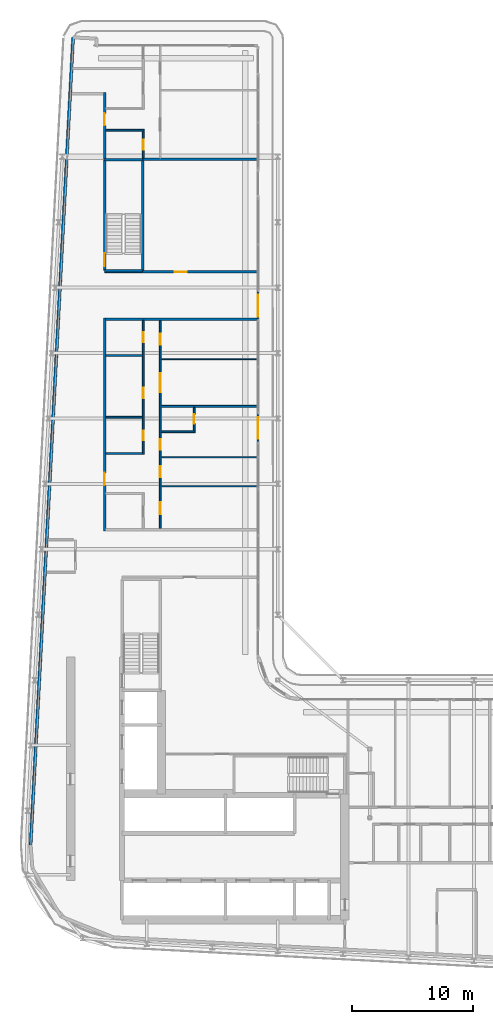
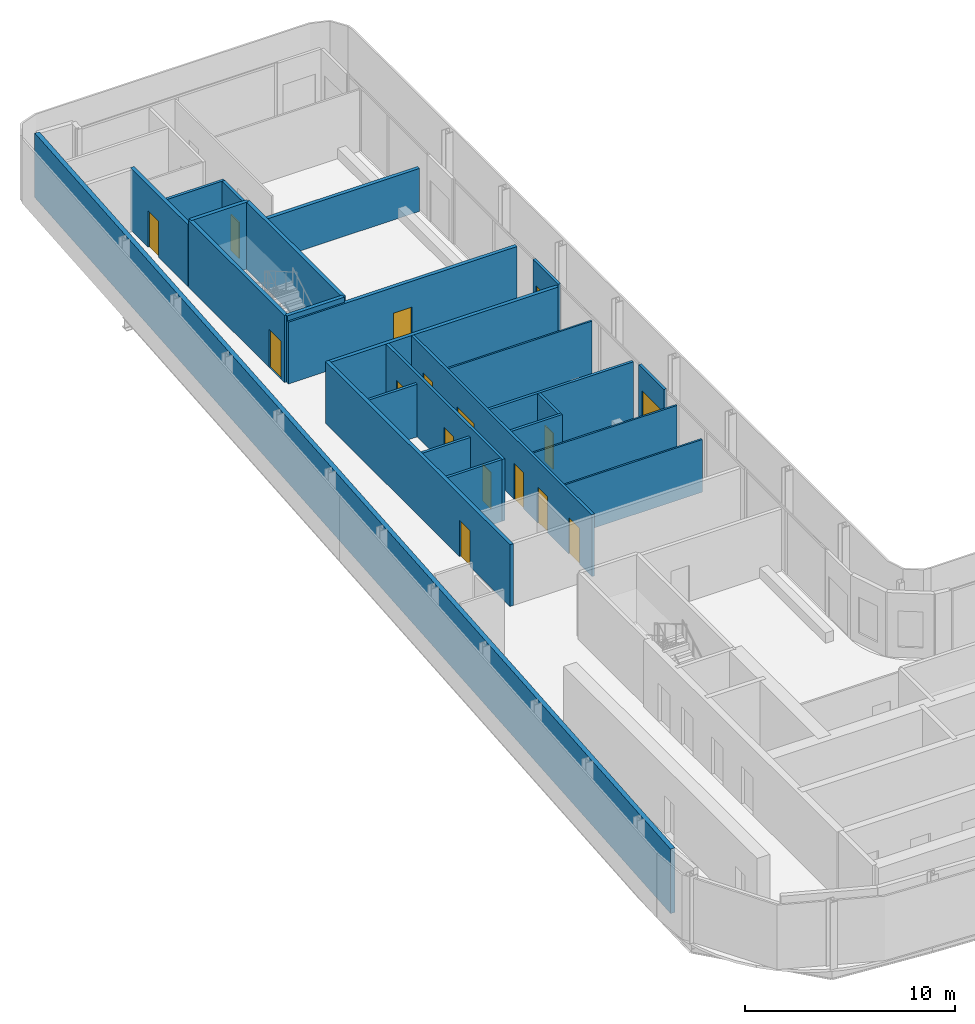
# One storey, part 14 of 23: 25 walls, 16 doors, 16 openings.
"""IFC4 building model written with IfcOpenShell, lengths in metres."""

from ifc_helpers import new_model, si_unit, direction, frame, frame_2d, origin, place, context, subcontext, project, spatial, rectangle, extrude, source, transform, mapped, material, layer, layer_set, type_object, element, fill, save


model = new_model("IFC4")

# Units and contexts
model_context = context("Model", 3, precision=1e-05, world=origin(), true_north=direction((0.0, 1.0)))
body_context = subcontext(model_context, "Body", "Model", "MODEL_VIEW")
ifc_project = project(units=[si_unit("LENGTHUNIT", "METRE"), si_unit("AREAUNIT", "SQUARE_METRE"), si_unit("VOLUMEUNIT", "CUBIC_METRE"), si_unit("PLANEANGLEUNIT", "RADIAN"), si_unit("MASSUNIT", "GRAM", prefix="KILO")], contexts=[model_context])

# Site, building, storey
site_placement = place(None, origin())
site = spatial("IfcSite", under=ifc_project, at=site_placement, CompositionType="ELEMENT")
building_placement = place(site_placement, origin())
building = spatial("IfcBuilding", under=site, at=building_placement, Name="Kheshtan School and Residences Tower", CompositionType="ELEMENT")
storey_placement = place(building_placement, frame((0.0, 0.0, 259.10009765625)))
storey = spatial("IfcBuildingStorey", under=building, at=storey_placement, Name="L61", CompositionType="ELEMENT", Elevation=259.10009765625)

# Wall, opening, door
ifc_material_1 = material(Name="Gypsum board on steel studs with fire boards", Category="steel")
ifc_layer_1 = layer(ifc_material_1, 0.199951171875)
ifc_layer_set_1 = layer_set([ifc_layer_1], Name="Corridor wall 200")
wall_type_1 = type_object("IfcWallType", Name="Corridor wall 200", PredefinedType="PARTITIONING", material=ifc_layer_set_1)
wall_1_placement = place(storey_placement, frame((33.300048828125, 57.89990234375, 0.0), z_axis=(0.0, 0.0, 1.0), x_axis=(0.0, 1.0, 0.0)))
wall_1 = element("IfcWall", 1, at=wall_1_placement, inside=storey, type_object=wall_type_1, Name="Partition L61-003", PredefinedType="PARTITIONING", context=body_context, shape_type="SweptSolid", body=[
    extrude(rectangle(XDim=17.60009765625, YDim=0.199951171875, at=frame_2d((8.800048828125, 0.0))), origin(), (0.0, 0.0, 1.0), 3.599853515625),
])
opening_1_placement = place(wall_1_placement, frame((3.800048828125, 0.0, 0.0)))
opening_1 = element("IfcOpeningElement", 2, at=opening_1_placement, cuts=wall_1, Name="Opening D61-029", PredefinedType="OPENING", context=body_context, shape_type="SweptSolid", body=[
    extrude(rectangle(XDim=1.0, YDim=2.10009765625, at=frame_2d((0.5, 1.050048828125))), frame((0.0, 0.10986328125, 0.0), z_axis=(0.0, -1.0, 0.0), x_axis=(1.0, 0.0, 0.0)), (0.0, 0.0, 1.0), 0.219970703125),
])
ifc_material_2 = material(Name="Steel-framed fire-resisting door leaf", Category="steel")
door_type_1 = type_object("IfcDoorType", Name="Fire door FD30S 1000 x 2100", OperationType="SINGLE_SWING_LEFT", PredefinedType="DOOR", material=ifc_material_2)
shared_shape_1 = source(origin(), body_context, "Body", "SweptSolid", [
    extrude(rectangle(XDim=1.0, YDim=2.10009765625, at=frame_2d((0.5, 1.050048828125))), frame((0.0, 0.02490234375, 0.0), z_axis=(0.0, -1.0, 0.0), x_axis=(1.0, 0.0, 0.0)), (0.0, 0.0, 1.0), 0.050048828125),
])
door_1_placement = place(opening_1_placement, origin())
door_1 = element("IfcDoor", 3, at=door_1_placement, inside=storey, type_object=door_type_1, Name="Door D61-029", OperationType="SINGLE_SWING_RIGHT", OverallHeight=2.10009765625, OverallWidth=1.0, PredefinedType="DOOR", context=body_context, shape_type="MappedRepresentation", body=[
    mapped(shared_shape_1, transform((0.0, 0.0, 0.0), x_axis=(1.0, 0.0, 0.0), y_axis=(0.0, 1.0, 0.0), z_axis=(0.0, 0.0, 1.0), scale=1.0)),
])
fill(opening_1, door_1)

wall_2_placement = place(storey_placement, frame((33.300048828125, 79.300048828125, 0.0), z_axis=(0.0, 0.0, 1.0), x_axis=(1.0, 0.0, 0.0)))
wall_2 = element("IfcWall", 4, at=wall_2_placement, inside=storey, type_object=wall_type_1, Name="Partition L61-004", PredefinedType="PARTITIONING", context=body_context, shape_type="SweptSolid", body=[
    extrude(rectangle(XDim=12.599853515625, YDim=0.199951171875, at=frame_2d((6.2998046875, 0.0))), origin(), (0.0, 0.0, 1.0), 3.599853515625),
])
opening_2_placement = place(wall_2_placement, frame((5.794921875, 0.0, 0.0)))
opening_2 = element("IfcOpeningElement", 5, at=opening_2_placement, cuts=wall_2, Name="Opening D61-044", PredefinedType="OPENING", context=body_context, shape_type="SweptSolid", body=[
    extrude(rectangle(XDim=1.0, YDim=2.10009765625, at=frame_2d((0.5, 1.050048828125))), frame((0.0, 0.10986328125, 0.0), z_axis=(0.0, -1.0, 0.0), x_axis=(1.0, 0.0, 0.0)), (0.0, 0.0, 1.0), 0.219970703125),
])
door_type_2 = type_object("IfcDoorType", Name="Fire door FD60 1000 x 2100", OperationType="SINGLE_SWING_LEFT", PredefinedType="DOOR", material=ifc_material_2)
shared_shape_2 = source(origin(), body_context, "Body", "SweptSolid", [
    extrude(rectangle(XDim=1.0, YDim=2.10009765625, at=frame_2d((0.5, 1.050048828125))), frame((0.0, 0.02490234375, 0.0), z_axis=(0.0, -1.0, 0.0), x_axis=(1.0, 0.0, 0.0)), (0.0, 0.0, 1.0), 0.050048828125),
])
door_2_placement = place(opening_2_placement, origin())
door_2 = element("IfcDoor", 6, at=door_2_placement, inside=storey, type_object=door_type_2, Name="Door D61-044", OperationType="SINGLE_SWING_RIGHT", OverallHeight=2.10009765625, OverallWidth=1.0, PredefinedType="DOOR", context=body_context, shape_type="MappedRepresentation", body=[
    mapped(shared_shape_2, transform((0.0, 0.0, 0.0), x_axis=(1.0, 0.0, 0.0), y_axis=(0.0, 1.0, 0.0), z_axis=(0.0, 0.0, 1.0), scale=1.0)),
])
fill(opening_2, door_2)

wall_3_placement = place(storey_placement, frame((33.300048828125, 88.60009765625, 0.0), z_axis=(0.0, 0.0, 1.0), x_axis=(0.0, 1.0, 0.0)))
wall_3 = element("IfcWall", 7, at=wall_3_placement, inside=storey, type_object=wall_type_1, Name="Partition L61-005", PredefinedType="PARTITIONING", context=body_context, shape_type="SweptSolid", body=[
    extrude(rectangle(XDim=5.5, YDim=0.199951171875, at=frame_2d((2.75, 0.0))), origin(), (0.0, 0.0, 1.0), 3.599853515625),
])
opening_3_placement = place(wall_3_placement, frame((2.800048828125, 0.0, 0.0)))
opening_3 = element("IfcOpeningElement", 8, at=opening_3_placement, cuts=wall_3, Name="Opening D61-037", PredefinedType="OPENING", context=body_context, shape_type="SweptSolid", body=[
    extrude(rectangle(XDim=1.0, YDim=2.10009765625, at=frame_2d((0.5, 1.050048828125))), frame((0.0, 0.10986328125, 0.0), z_axis=(0.0, -1.0, 0.0), x_axis=(1.0, 0.0, 0.0)), (0.0, 0.0, 1.0), 0.219970703125),
])
door_3_placement = place(opening_3_placement, origin())
door_3 = element("IfcDoor", 9, at=door_3_placement, inside=storey, type_object=door_type_1, Name="Door D61-037", OperationType="SINGLE_SWING_LEFT", OverallHeight=2.10009765625, OverallWidth=1.0, PredefinedType="DOOR", context=body_context, shape_type="MappedRepresentation", body=[
    mapped(shared_shape_1, transform((0.0, 0.0, 0.0), x_axis=(1.0, 0.0, 0.0), y_axis=(0.0, 1.0, 0.0), z_axis=(0.0, 0.0, 1.0), scale=1.0)),
])
fill(opening_3, door_3)

# Walls
wall_4_placement = place(storey_placement, frame((33.39990234375, 75.39990234375, 0.0), z_axis=(0.0, 0.0, 1.0), x_axis=(1.0, 0.0, 0.0)))
element("IfcWall", 10, at=wall_4_placement, inside=storey, type_object=wall_type_1, Name="Partition L61-011", PredefinedType="PARTITIONING", context=body_context, shape_type="SweptSolid", body=[
    extrude(rectangle(XDim=12.5, YDim=0.199951171875, at=frame_2d((6.25, 0.0))), origin(), (0.0, 0.0, 1.0), 3.599853515625),
])
ifc_material_3 = material(Name="Concrete C40/50 with ceramic cladding and mineral wool insulation", Category="concrete")
ifc_layer_2 = layer(ifc_material_3, 0.25)
ifc_layer_set_2 = layer_set([ifc_layer_2], Name="External wall 250 ceramic clad")
wall_type_2 = type_object("IfcWallType", Name="External wall 250 ceramic clad", PredefinedType="SOLIDWALL", material=ifc_layer_set_2)
wall_5_placement = place(storey_placement, frame((27.195068359375, 31.968994140625, 0.0), z_axis=(0.0, 0.0, 1.0), x_axis=(0.052554995867, 0.998618031286, 0.0)))
element("IfcWall", 11, at=wall_5_placement, inside=storey, type_object=wall_type_2, Name="External wall L61 4", PredefinedType="SOLIDWALL", context=body_context, shape_type="SweptSolid", body=[
    extrude(rectangle(XDim=66.787353515625, YDim=0.25, at=frame_2d((33.3935546875, 0.0))), origin(), (0.0, 0.0, 1.0), 3.75),
])

# Wall, opening, door
ifc_material_4 = material(Name="Aluminium frame wall with insulated infill", Category="aluminium")
ifc_layer_3 = layer(ifc_material_4, 0.14990234375)
ifc_layer_set_3 = layer_set([ifc_layer_3], Name="Glazing frame wall 150")
wall_type_3 = type_object("IfcWallType", Name="Glazing frame wall 150", PredefinedType="SOLIDWALL", material=ifc_layer_set_3)
wall_6_placement = place(storey_placement, frame((45.97509765625, 77.7119140625, 0.0), z_axis=(0.0, 0.0, 1.0), x_axis=(0.0, -1.0, 0.0)))
wall_6 = element("IfcWall", 12, at=wall_6_placement, inside=storey, type_object=wall_type_3, Name="Balcony door wall L61 8.3", PredefinedType="SOLIDWALL", context=body_context, shape_type="SweptSolid", body=[
    extrude(rectangle(XDim=2.39990234375, YDim=0.14990234375, at=frame_2d((1.199951171875, 0.0))), origin(), (0.0, 0.0, 1.0), 3.75),
])
opening_4_placement = place(wall_6_placement, frame((0.300048828125, 0.0, 0.0)))
opening_4 = element("IfcOpeningElement", 13, at=opening_4_placement, cuts=wall_6, Name="Opening BD", PredefinedType="OPENING", context=body_context, shape_type="SweptSolid", body=[
    extrude(rectangle(XDim=1.800048828125, YDim=2.39990234375, at=frame_2d((0.89990234375, 1.199951171875))), frame((0.0, 0.0849609375, 0.0), z_axis=(0.0, -1.0, 0.0), x_axis=(1.0, 0.0, 0.0)), (0.0, 0.0, 1.0), 0.169921875),
])
ifc_material_5 = material(Name="Clear low-e glass in thermally broken aluminium frame", Category="aluminium")
door_type_3 = type_object("IfcDoorType", Name="Balcony sliding door", OperationType="SLIDING_TO_LEFT", PredefinedType="DOOR", material=ifc_material_5)
shared_shape_3 = source(origin(), body_context, "Body", "SweptSolid", [
    extrude(rectangle(XDim=1.800048828125, YDim=2.39990234375, at=frame_2d((0.89990234375, 1.199951171875))), frame((0.0, 0.02490234375, 0.0), z_axis=(0.0, -1.0, 0.0), x_axis=(1.0, 0.0, 0.0)), (0.0, 0.0, 1.0), 0.050048828125),
])
door_4_placement = place(opening_4_placement, origin())
door_4 = element("IfcDoor", 14, at=door_4_placement, inside=storey, type_object=door_type_3, Name="Balcony door L61 8.3", OperationType="SLIDING_TO_LEFT", OverallHeight=2.39990234375, OverallWidth=1.800048828125, PredefinedType="DOOR", context=body_context, shape_type="MappedRepresentation", body=[
    mapped(shared_shape_3, transform((0.0, 0.0, 0.0), x_axis=(1.0, 0.0, 0.0), y_axis=(0.0, 1.0, 0.0), z_axis=(0.0, 0.0, 1.0), scale=1.0)),
])
fill(opening_4, door_4)

wall_7_placement = place(storey_placement, frame((45.97509765625, 67.617919921875, 0.0), z_axis=(0.0, 0.0, 1.0), x_axis=(0.0, -1.0, 0.0)))
wall_7 = element("IfcWall", 15, at=wall_7_placement, inside=storey, type_object=wall_type_3, Name="Balcony door wall L61 8.4", PredefinedType="SOLIDWALL", context=body_context, shape_type="SweptSolid", body=[
    extrude(rectangle(XDim=2.39990234375, YDim=0.14990234375, at=frame_2d((1.199951171875, 0.0))), origin(), (0.0, 0.0, 1.0), 3.75),
])
opening_5_placement = place(wall_7_placement, frame((0.300048828125, 0.0, 0.0)))
opening_5 = element("IfcOpeningElement", 16, at=opening_5_placement, cuts=wall_7, Name="Opening BD", PredefinedType="OPENING", context=body_context, shape_type="SweptSolid", body=[
    extrude(rectangle(XDim=1.800048828125, YDim=2.39990234375, at=frame_2d((0.89990234375, 1.199951171875))), frame((0.0, 0.0849609375, 0.0), z_axis=(0.0, -1.0, 0.0), x_axis=(1.0, 0.0, 0.0)), (0.0, 0.0, 1.0), 0.169921875),
])
door_5_placement = place(opening_5_placement, origin())
door_5 = element("IfcDoor", 17, at=door_5_placement, inside=storey, type_object=door_type_3, Name="Balcony door L61 8.4", OperationType="SLIDING_TO_LEFT", OverallHeight=2.39990234375, OverallWidth=1.800048828125, PredefinedType="DOOR", context=body_context, shape_type="MappedRepresentation", body=[
    mapped(shared_shape_3, transform((0.0, 0.0, 0.0), x_axis=(1.0, 0.0, 0.0), y_axis=(0.0, 1.0, 0.0), z_axis=(0.0, 0.0, 1.0), scale=1.0)),
])
fill(opening_5, door_5)

# Walls
ifc_material_6 = material(Name="Gypsum board on steel studs", Category="steel")
ifc_layer_4 = layer(ifc_material_6, 0.10009765625)
ifc_layer_set_4 = layer_set([ifc_layer_4], Name="Gypsum partition 100")
wall_type_4 = type_object("IfcWallType", Name="Gypsum partition 100", PredefinedType="PARTITIONING", material=ifc_layer_set_4)
wall_8_placement = place(storey_placement, frame((37.97509765625, 61.60009765625, 0.0), z_axis=(0.0, 0.0, 1.0), x_axis=(1.0, 0.0, 0.0)))
element("IfcWall", 18, at=wall_8_placement, inside=storey, type_object=wall_type_4, Name="Partition L61-023", PredefinedType="PARTITIONING", context=body_context, shape_type="SweptSolid", body=[
    extrude(rectangle(XDim=7.9248046875, YDim=0.10009765625, at=frame_2d((3.96240234375, 0.0))), origin(), (0.0, 0.0, 1.0), 3.072021484375),
])
for number, where, z_axis, x_axis, name in (
    (19, (37.97509765625, 64.0, 0.0), (0.0, 0.0, 1.0), (1.0, 0.0, 0.0), "Partition L61-024"),
    (20, (37.97509765625, 72.10009765625, 0.0), (0.0, 0.0, 1.0), (1.0, 0.0, 0.0), "Partition L61-027"),
):
    element("IfcWall", number, at=place(storey_placement, frame(where, z_axis=z_axis, x_axis=x_axis)), inside=storey, type_object=wall_type_4, Name=name, PredefinedType="PARTITIONING", context=body_context, shape_type="SweptSolid", body=[
        extrude(rectangle(XDim=7.9248046875, YDim=0.10009765625, at=frame_2d((3.96240234375, 0.0))), origin(), (0.0, 0.0, 1.0), 3.599853515625),
    ])
ifc_material_7 = material(Name="Concrete C40/50", Category="concrete")
ifc_layer_5 = layer(ifc_material_7, 0.199951171875)
ifc_layer_set_5 = layer_set([ifc_layer_5], Name="Stair enclosure wall 200 Concrete C40/50")
wall_type_5 = type_object("IfcWallType", Name="Stair enclosure wall 200 Concrete C40/50", PredefinedType="SHEAR", material=ifc_layer_set_5)
for number, where, z_axis, x_axis, name in (
    (21, (33.300048828125, 79.39990234375, 0.0), (0.0, 0.0, 1.0), (1.0, 0.0, 0.0), "Stair enclosure wall ST3"),
    (22, (33.300048828125, 88.56005859375, 0.0), (0.0, 0.0, 1.0), (1.0, 0.0, 0.0), "Stair enclosure wall ST3"),
):
    element("IfcWall", number, at=place(storey_placement, frame(where, z_axis=z_axis, x_axis=x_axis)), inside=storey, type_object=wall_type_5, Name=name, PredefinedType="SHEAR", context=body_context, shape_type="SweptSolid", body=[
        extrude(rectangle(XDim=3.14990234375, YDim=0.199951171875, at=frame_2d((1.574951171875, 0.0))), origin(), (0.0, 0.0, 1.0), 3.89990234375),
    ])

# Wall, opening, door
wall_9_placement = place(storey_placement, frame((33.300048828125, 79.39990234375, 0.0), z_axis=(0.0, 0.0, 1.0), x_axis=(0.0, 1.0, 0.0)))
wall_9 = element("IfcWall", 23, at=wall_9_placement, inside=storey, type_object=wall_type_5, Name="Stair enclosure wall ST3", PredefinedType="SHEAR", context=body_context, shape_type="SweptSolid", body=[
    extrude(rectangle(XDim=9.16015625, YDim=0.199951171875, at=frame_2d((4.580078125, 0.0))), origin(), (0.0, 0.0, 1.0), 3.89990234375),
])
opening_6_placement = place(wall_9_placement, frame((0.35009765625, 0.0, 0.0)))
opening_6 = element("IfcOpeningElement", 24, at=opening_6_placement, cuts=wall_9, Name="Opening ST3D", PredefinedType="OPENING", context=body_context, shape_type="SweptSolid", body=[
    extrude(rectangle(XDim=1.10009765625, YDim=2.199951171875, at=frame_2d((0.550048828125, 1.10009765625))), frame((0.0, 0.10986328125, 0.0), z_axis=(0.0, -1.0, 0.0), x_axis=(1.0, 0.0, 0.0)), (0.0, 0.0, 1.0), 0.219970703125),
])
ifc_material_8 = material(Name="Steel door leaf, galvanised", Category="steel")
door_type_4 = type_object("IfcDoorType", Name="Stair door 1100 steel 90 min", OperationType="SINGLE_SWING_LEFT", PredefinedType="DOOR", material=ifc_material_8)
shared_shape_4 = source(origin(), body_context, "Body", "SweptSolid", [
    extrude(rectangle(XDim=1.10009765625, YDim=2.199951171875, at=frame_2d((0.550048828125, 1.10009765625))), frame((0.0, 0.02490234375, 0.0), z_axis=(0.0, -1.0, 0.0), x_axis=(1.0, 0.0, 0.0)), (0.0, 0.0, 1.0), 0.050048828125),
])
door_6_placement = place(opening_6_placement, origin())
door_6 = element("IfcDoor", 25, at=door_6_placement, inside=storey, type_object=door_type_4, Name="Stair ST3 door", OperationType="SINGLE_SWING_RIGHT", OverallHeight=2.199951171875, OverallWidth=1.10009765625, PredefinedType="DOOR", context=body_context, shape_type="MappedRepresentation", body=[
    mapped(shared_shape_4, transform((0.0, 0.0, 0.0), x_axis=(1.0, 0.0, 0.0), y_axis=(0.0, 1.0, 0.0), z_axis=(0.0, 0.0, 1.0), scale=1.0)),
])
fill(opening_6, door_6)

# Walls
wall_10_placement = place(storey_placement, frame((36.449951171875, 79.39990234375, 0.0), z_axis=(0.0, 0.0, 1.0), x_axis=(0.0, 1.0, 0.0)))
element("IfcWall", 26, at=wall_10_placement, inside=storey, type_object=wall_type_5, Name="Stair enclosure wall ST3", PredefinedType="SHEAR", context=body_context, shape_type="SweptSolid", body=[
    extrude(rectangle(XDim=9.16015625, YDim=0.199951171875, at=frame_2d((4.580078125, 0.0))), origin(), (0.0, 0.0, 1.0), 3.89990234375),
])
ifc_material_9 = material(Name="Twin gypsum board on steel studs with mineral wool", Category="steel")
ifc_layer_6 = layer(ifc_material_9, 0.199951171875)
ifc_layer_set_6 = layer_set([ifc_layer_6], Name="Unit demising wall 200")
wall_type_6 = type_object("IfcWallType", Name="Unit demising wall 200", PredefinedType="PARTITIONING", material=ifc_layer_set_6)
wall_11_placement = place(storey_placement, frame((36.425048828125, 88.60009765625, 0.0), z_axis=(0.0, 0.0, 1.0), x_axis=(1.0, 0.0, 0.0)))
element("IfcWall", 27, at=wall_11_placement, inside=storey, type_object=wall_type_6, Name="Partition L61-015", PredefinedType="PARTITIONING", context=body_context, shape_type="SweptSolid", body=[
    extrude(rectangle(XDim=9.474853515625, YDim=0.199951171875, at=frame_2d((4.7373046875, 0.0))), origin(), (0.0, 0.0, 1.0), 2.5),
])
ifc_material_10 = material(Name="Moisture-resistant gypsum board on steel studs", Category="steel")
ifc_layer_7 = layer(ifc_material_10, 0.14990234375)
ifc_layer_set_7 = layer_set([ifc_layer_7], Name="Wet-room partition 150")
wall_type_7 = type_object("IfcWallType", Name="Wet-room partition 150", PredefinedType="PARTITIONING", material=ifc_layer_set_7)
wall_12_placement = place(storey_placement, frame((33.39990234375, 64.300048828125, 0.0), z_axis=(0.0, 0.0, 1.0), x_axis=(1.0, 0.0, 0.0)))
element("IfcWall", 28, at=wall_12_placement, inside=storey, type_object=wall_type_7, Name="Partition L61-008", PredefinedType="PARTITIONING", context=body_context, shape_type="SweptSolid", body=[
    extrude(rectangle(XDim=3.025146484375, YDim=0.14990234375, at=frame_2d((1.5126953125, 0.0))), origin(), (0.0, 0.0, 1.0), 3.599853515625),
])
for number, where, z_axis, x_axis, name in (
    (29, (33.39990234375, 67.300048828125, 0.0), (0.0, 0.0, 1.0), (1.0, 0.0, 0.0), "Partition L61-009"),
    (30, (33.39990234375, 72.39990234375, 0.0), (0.0, 0.0, 1.0), (1.0, 0.0, 0.0), "Partition L61-010"),
):
    element("IfcWall", number, at=place(storey_placement, frame(where, z_axis=z_axis, x_axis=x_axis)), inside=storey, type_object=wall_type_7, Name=name, PredefinedType="PARTITIONING", context=body_context, shape_type="SweptSolid", body=[
        extrude(rectangle(XDim=3.025146484375, YDim=0.14990234375, at=frame_2d((1.5126953125, 0.0))), origin(), (0.0, 0.0, 1.0), 3.072021484375),
    ])
wall_13_placement = place(storey_placement, frame((33.39990234375, 91.0, 0.0), z_axis=(0.0, 0.0, 1.0), x_axis=(1.0, 0.0, 0.0)))
element("IfcWall", 31, at=wall_13_placement, inside=storey, type_object=wall_type_7, Name="Partition L61-012", PredefinedType="PARTITIONING", context=body_context, shape_type="SweptSolid", body=[
    extrude(rectangle(XDim=3.175048828125, YDim=0.14990234375, at=frame_2d((1.58740234375, 0.0))), origin(), (0.0, 0.0, 1.0), 3.599853515625),
])

# Wall, openings, doors
wall_14_placement = place(storey_placement, frame((36.5, 64.22509765625, 0.0), z_axis=(0.0, 0.0, 1.0), x_axis=(0.0, 1.0, 0.0)))
wall_14 = element("IfcWall", 32, at=wall_14_placement, inside=storey, type_object=wall_type_7, Name="Partition L61-017", PredefinedType="PARTITIONING", context=body_context, shape_type="SweptSolid", body=[
    extrude(rectangle(XDim=11.074951171875, YDim=0.14990234375, at=frame_2d((5.53759765625, 0.0))), origin(), (0.0, 0.0, 1.0), 3.599853515625),
])
opening_7_placement = place(wall_14_placement, frame((1.175048828125, 0.0, 0.0)))
opening_7 = element("IfcOpeningElement", 33, at=opening_7_placement, cuts=wall_14, Name="Opening D61-024", PredefinedType="OPENING", context=body_context, shape_type="SweptSolid", body=[
    extrude(rectangle(XDim=0.800048828125, YDim=2.10009765625, at=frame_2d((0.39990234375, 1.050048828125))), frame((0.0, 0.0849609375, 0.0), z_axis=(0.0, -1.0, 0.0), x_axis=(1.0, 0.0, 0.0)), (0.0, 0.0, 1.0), 0.169921875),
])
opening_8_placement = place(wall_14_placement, frame((9.27490234375, 0.0, 0.0)))
opening_8 = element("IfcOpeningElement", 34, at=opening_8_placement, cuts=wall_14, Name="Opening D61-025", PredefinedType="OPENING", context=body_context, shape_type="SweptSolid", body=[
    extrude(rectangle(XDim=0.800048828125, YDim=2.10009765625, at=frame_2d((0.39990234375, 1.050048828125))), frame((0.0, 0.0849609375, 0.0), z_axis=(0.0, -1.0, 0.0), x_axis=(1.0, 0.0, 0.0)), (0.0, 0.0, 1.0), 0.169921875),
])
opening_9_placement = place(wall_14_placement, frame((4.625, 0.0, 0.0)))
opening_9 = element("IfcOpeningElement", 35, at=opening_9_placement, cuts=wall_14, Name="Opening D61-030", PredefinedType="OPENING", context=body_context, shape_type="SweptSolid", body=[
    extrude(rectangle(XDim=0.89990234375, YDim=2.10009765625, at=frame_2d((0.449951171875, 1.050048828125))), frame((0.0, 0.0849609375, 0.0), z_axis=(0.0, -1.0, 0.0), x_axis=(1.0, 0.0, 0.0)), (0.0, 0.0, 1.0), 0.169921875),
])
ifc_material_11 = material(Name="Veneered timber door leaf", Category="wood")
door_type_5 = type_object("IfcDoorType", Name="Door 800 x 2100", OperationType="SINGLE_SWING_LEFT", PredefinedType="DOOR", material=ifc_material_11)
shared_shape_5 = source(origin(), body_context, "Body", "SweptSolid", [
    extrude(rectangle(XDim=0.800048828125, YDim=2.10009765625, at=frame_2d((0.39990234375, 1.050048828125))), frame((0.0, 0.02490234375, 0.0), z_axis=(0.0, -1.0, 0.0), x_axis=(1.0, 0.0, 0.0)), (0.0, 0.0, 1.0), 0.050048828125),
])
door_7_placement = place(opening_7_placement, origin())
door_7 = element("IfcDoor", 36, at=door_7_placement, inside=storey, type_object=door_type_5, Name="Door D61-024", OperationType="SINGLE_SWING_RIGHT", OverallHeight=2.10009765625, OverallWidth=0.800048828125, PredefinedType="DOOR", context=body_context, shape_type="MappedRepresentation", body=[
    mapped(shared_shape_5, transform((0.0, 0.0, 0.0), x_axis=(1.0, 0.0, 0.0), y_axis=(0.0, 1.0, 0.0), z_axis=(0.0, 0.0, 1.0), scale=1.0)),
])
fill(opening_7, door_7)
door_8_placement = place(opening_8_placement, origin())
door_8 = element("IfcDoor", 37, at=door_8_placement, inside=storey, type_object=door_type_5, Name="Door D61-025", OperationType="SINGLE_SWING_LEFT", OverallHeight=2.10009765625, OverallWidth=0.800048828125, PredefinedType="DOOR", context=body_context, shape_type="MappedRepresentation", body=[
    mapped(shared_shape_5, transform((0.0, 0.0, 0.0), x_axis=(1.0, 0.0, 0.0), y_axis=(0.0, 1.0, 0.0), z_axis=(0.0, 0.0, 1.0), scale=1.0)),
])
fill(opening_8, door_8)
door_type_6 = type_object("IfcDoorType", Name="Door 900 x 2100", OperationType="SINGLE_SWING_LEFT", PredefinedType="DOOR", material=ifc_material_11)
shared_shape_6 = source(origin(), body_context, "Body", "SweptSolid", [
    extrude(rectangle(XDim=0.89990234375, YDim=2.10009765625, at=frame_2d((0.449951171875, 1.050048828125))), frame((0.0, 0.02490234375, 0.0), z_axis=(0.0, -1.0, 0.0), x_axis=(1.0, 0.0, 0.0)), (0.0, 0.0, 1.0), 0.050048828125),
])
door_9_placement = place(opening_9_placement, origin())
door_9 = element("IfcDoor", 38, at=door_9_placement, inside=storey, type_object=door_type_6, Name="Door D61-030", OperationType="SINGLE_SWING_RIGHT", OverallHeight=2.10009765625, OverallWidth=0.89990234375, PredefinedType="DOOR", context=body_context, shape_type="MappedRepresentation", body=[
    mapped(shared_shape_6, transform((0.0, 0.0, 0.0), x_axis=(1.0, 0.0, 0.0), y_axis=(0.0, 1.0, 0.0), z_axis=(0.0, 0.0, 1.0), scale=1.0)),
])
fill(opening_9, door_9)

# Wall, opening, door
wall_15_placement = place(storey_placement, frame((36.5, 88.699951171875, 0.0), z_axis=(0.0, 0.0, 1.0), x_axis=(0.0, 1.0, 0.0)))
wall_15 = element("IfcWall", 39, at=wall_15_placement, inside=storey, type_object=wall_type_7, Name="Partition L61-018", PredefinedType="PARTITIONING", context=body_context, shape_type="SweptSolid", body=[
    extrude(rectangle(XDim=2.22509765625, YDim=0.14990234375, at=frame_2d((1.112548828125, 0.0))), origin(), (0.0, 0.0, 1.0), 3.599853515625),
])
opening_10_placement = place(wall_15_placement, frame((0.699951171875, 0.0, 0.0)))
opening_10 = element("IfcOpeningElement", 40, at=opening_10_placement, cuts=wall_15, Name="Opening D61-035", PredefinedType="OPENING", context=body_context, shape_type="SweptSolid", body=[
    extrude(rectangle(XDim=0.800048828125, YDim=2.10009765625, at=frame_2d((0.39990234375, 1.050048828125))), frame((0.0, 0.0849609375, 0.0), z_axis=(0.0, -1.0, 0.0), x_axis=(1.0, 0.0, 0.0)), (0.0, 0.0, 1.0), 0.169921875),
])
door_10_placement = place(opening_10_placement, origin())
door_10 = element("IfcDoor", 41, at=door_10_placement, inside=storey, type_object=door_type_5, Name="Door D61-035", OperationType="SINGLE_SWING_LEFT", OverallHeight=2.10009765625, OverallWidth=0.800048828125, PredefinedType="DOOR", context=body_context, shape_type="MappedRepresentation", body=[
    mapped(shared_shape_5, transform((0.0, 0.0, 0.0), x_axis=(1.0, 0.0, 0.0), y_axis=(0.0, 1.0, 0.0), z_axis=(0.0, 0.0, 1.0), scale=1.0)),
])
fill(opening_10, door_10)

# Wall, openings, doors
wall_16_placement = place(storey_placement, frame((37.89990234375, 58.10009765625, 0.0), z_axis=(0.0, 0.0, 1.0), x_axis=(0.0, 1.0, 0.0)))
wall_16 = element("IfcWall", 42, at=wall_16_placement, inside=storey, type_object=wall_type_7, Name="Partition L61-020", PredefinedType="PARTITIONING", context=body_context, shape_type="SweptSolid", body=[
    extrude(rectangle(XDim=17.199951171875, YDim=0.14990234375, at=frame_2d((8.60009765625, 0.0))), origin(), (0.0, 0.0, 1.0), 3.599853515625),
])
opening_11_placement = place(wall_16_placement, frame((4.25, 0.0, 0.0)))
opening_11 = element("IfcOpeningElement", 43, at=opening_11_placement, cuts=wall_16, Name="Opening D61-026", PredefinedType="OPENING", context=body_context, shape_type="SweptSolid", body=[
    extrude(rectangle(XDim=0.89990234375, YDim=2.10009765625, at=frame_2d((0.449951171875, 1.050048828125))), frame((0.0, 0.0849609375, 0.0), z_axis=(0.0, -1.0, 0.0), x_axis=(1.0, 0.0, 0.0)), (0.0, 0.0, 1.0), 0.169921875),
])
opening_12_placement = place(wall_16_placement, frame((15.199951171875, 0.0, 0.0)))
opening_12 = element("IfcOpeningElement", 44, at=opening_12_placement, cuts=wall_16, Name="Opening D61-027", PredefinedType="OPENING", context=body_context, shape_type="SweptSolid", body=[
    extrude(rectangle(XDim=0.89990234375, YDim=2.10009765625, at=frame_2d((0.449951171875, 1.050048828125))), frame((0.0, 0.0849609375, 0.0), z_axis=(0.0, -1.0, 0.0), x_axis=(1.0, 0.0, 0.0)), (0.0, 0.0, 1.0), 0.169921875),
])
opening_13_placement = place(wall_16_placement, frame((1.199951171875, 0.0, 0.0)))
opening_13 = element("IfcOpeningElement", 45, at=opening_13_placement, cuts=wall_16, Name="Opening D61-031", PredefinedType="OPENING", context=body_context, shape_type="SweptSolid", body=[
    extrude(rectangle(XDim=1.0, YDim=2.10009765625, at=frame_2d((0.5, 1.050048828125))), frame((0.0, 0.0849609375, 0.0), z_axis=(0.0, -1.0, 0.0), x_axis=(1.0, 0.0, 0.0)), (0.0, 0.0, 1.0), 0.169921875),
])
opening_14_placement = place(wall_16_placement, frame((11.25, 0.0, 0.0)))
opening_14 = element("IfcOpeningElement", 46, at=opening_14_placement, cuts=wall_16, Name="Opening D61-032", PredefinedType="OPENING", context=body_context, shape_type="SweptSolid", body=[
    extrude(rectangle(XDim=1.60009765625, YDim=2.10009765625, at=frame_2d((0.800048828125, 1.050048828125))), frame((0.0, 0.0849609375, 0.0), z_axis=(0.0, -1.0, 0.0), x_axis=(1.0, 0.0, 0.0)), (0.0, 0.0, 1.0), 0.169921875),
])
opening_15_placement = place(wall_16_placement, frame((6.5, 0.0, 0.0)))
opening_15 = element("IfcOpeningElement", 47, at=opening_15_placement, cuts=wall_16, Name="Opening D61-033", PredefinedType="OPENING", context=body_context, shape_type="SweptSolid", body=[
    extrude(rectangle(XDim=0.89990234375, YDim=2.10009765625, at=frame_2d((0.449951171875, 1.050048828125))), frame((0.0, 0.0849609375, 0.0), z_axis=(0.0, -1.0, 0.0), x_axis=(1.0, 0.0, 0.0)), (0.0, 0.0, 1.0), 0.169921875),
])
door_type_7 = type_object("IfcDoorType", Name="Door 1000 x 2100", OperationType="SINGLE_SWING_LEFT", PredefinedType="DOOR", material=ifc_material_11)
shared_shape_7 = source(origin(), body_context, "Body", "SweptSolid", [
    extrude(rectangle(XDim=1.0, YDim=2.10009765625, at=frame_2d((0.5, 1.050048828125))), frame((0.0, 0.02490234375, 0.0), z_axis=(0.0, -1.0, 0.0), x_axis=(1.0, 0.0, 0.0)), (0.0, 0.0, 1.0), 0.050048828125),
])
door_11_placement = place(opening_13_placement, origin())
door_11 = element("IfcDoor", 48, at=door_11_placement, inside=storey, type_object=door_type_7, Name="Door D61-031", OperationType="SINGLE_SWING_LEFT", OverallHeight=2.10009765625, OverallWidth=1.0, PredefinedType="DOOR", context=body_context, shape_type="MappedRepresentation", body=[
    mapped(shared_shape_7, transform((0.0, 0.0, 0.0), x_axis=(1.0, 0.0, 0.0), y_axis=(0.0, 1.0, 0.0), z_axis=(0.0, 0.0, 1.0), scale=1.0)),
])
fill(opening_13, door_11)
door_12_placement = place(opening_11_placement, origin())
door_12 = element("IfcDoor", 49, at=door_12_placement, inside=storey, type_object=door_type_6, Name="Door D61-026", OperationType="SINGLE_SWING_LEFT", OverallHeight=2.10009765625, OverallWidth=0.89990234375, PredefinedType="DOOR", context=body_context, shape_type="MappedRepresentation", body=[
    mapped(shared_shape_6, transform((0.0, 0.0, 0.0), x_axis=(1.0, 0.0, 0.0), y_axis=(0.0, 1.0, 0.0), z_axis=(0.0, 0.0, 1.0), scale=1.0)),
])
fill(opening_11, door_12)
door_13_placement = place(opening_12_placement, origin())
door_13 = element("IfcDoor", 50, at=door_13_placement, inside=storey, type_object=door_type_6, Name="Door D61-027", OperationType="SINGLE_SWING_LEFT", OverallHeight=2.10009765625, OverallWidth=0.89990234375, PredefinedType="DOOR", context=body_context, shape_type="MappedRepresentation", body=[
    mapped(shared_shape_6, transform((0.0, 0.0, 0.0), x_axis=(1.0, 0.0, 0.0), y_axis=(0.0, 1.0, 0.0), z_axis=(0.0, 0.0, 1.0), scale=1.0)),
])
fill(opening_12, door_13)
door_14_placement = place(opening_15_placement, origin())
door_14 = element("IfcDoor", 51, at=door_14_placement, inside=storey, type_object=door_type_6, Name="Door D61-033", OperationType="SINGLE_SWING_RIGHT", OverallHeight=2.10009765625, OverallWidth=0.89990234375, PredefinedType="DOOR", context=body_context, shape_type="MappedRepresentation", body=[
    mapped(shared_shape_6, transform((0.0, 0.0, 0.0), x_axis=(1.0, 0.0, 0.0), y_axis=(0.0, 1.0, 0.0), z_axis=(0.0, 0.0, 1.0), scale=1.0)),
])
fill(opening_15, door_14)
door_type_8 = type_object("IfcDoorType", Name="Double door 1600 x 2100", OperationType="DOUBLE_DOOR_SINGLE_SWING", PredefinedType="DOOR", material=ifc_material_11)
shared_shape_8 = source(origin(), body_context, "Body", "SweptSolid", [
    extrude(rectangle(XDim=1.60009765625, YDim=2.10009765625, at=frame_2d((0.800048828125, 1.050048828125))), frame((0.0, 0.02490234375, 0.0), z_axis=(0.0, -1.0, 0.0), x_axis=(1.0, 0.0, 0.0)), (0.0, 0.0, 1.0), 0.050048828125),
])
door_15_placement = place(opening_14_placement, origin())
door_15 = element("IfcDoor", 52, at=door_15_placement, inside=storey, type_object=door_type_8, Name="Door D61-032", OperationType="DOUBLE_DOOR_SINGLE_SWING", OverallHeight=2.10009765625, OverallWidth=1.60009765625, PredefinedType="DOOR", context=body_context, shape_type="MappedRepresentation", body=[
    mapped(shared_shape_8, transform((0.0, 0.0, 0.0), x_axis=(1.0, 0.0, 0.0), y_axis=(0.0, 1.0, 0.0), z_axis=(0.0, 0.0, 1.0), scale=1.0)),
])
fill(opening_14, door_15)

# Walls
wall_17_placement = place(storey_placement, frame((37.97509765625, 66.10009765625, 0.0), z_axis=(0.0, 0.0, 1.0), x_axis=(1.0, 0.0, 0.0)))
element("IfcWall", 53, at=wall_17_placement, inside=storey, type_object=wall_type_7, Name="Partition L61-025", PredefinedType="PARTITIONING", context=body_context, shape_type="SweptSolid", body=[
    extrude(rectangle(XDim=2.7998046875, YDim=0.14990234375, at=frame_2d((1.39990234375, 0.0))), origin(), (0.0, 0.0, 1.0), 3.599853515625),
])
wall_18_placement = place(storey_placement, frame((37.97509765625, 68.199951171875, 0.0), z_axis=(0.0, 0.0, 1.0), x_axis=(1.0, 0.0, 0.0)))
element("IfcWall", 54, at=wall_18_placement, inside=storey, type_object=wall_type_7, Name="Partition L61-026", PredefinedType="PARTITIONING", context=body_context, shape_type="SweptSolid", body=[
    extrude(rectangle(XDim=7.9248046875, YDim=0.14990234375, at=frame_2d((3.96240234375, 0.0))), origin(), (0.0, 0.0, 1.0), 3.599853515625),
])

# Wall, opening, door
wall_19_placement = place(storey_placement, frame((40.699951171875, 66.175048828125, 0.0), z_axis=(0.0, 0.0, 1.0), x_axis=(0.0, 1.0, 0.0)))
wall_19 = element("IfcWall", 55, at=wall_19_placement, inside=storey, type_object=wall_type_7, Name="Partition L61-029", PredefinedType="PARTITIONING", context=body_context, shape_type="SweptSolid", body=[
    extrude(rectangle(XDim=1.949951171875, YDim=0.14990234375, at=frame_2d((0.97509765625, 0.0))), origin(), (0.0, 0.0, 1.0), 3.599853515625),
])
opening_16_placement = place(wall_19_placement, frame((0.574951171875, 0.0, 0.0)))
opening_16 = element("IfcOpeningElement", 56, at=opening_16_placement, cuts=wall_19, Name="Opening D61-028", PredefinedType="OPENING", context=body_context, shape_type="SweptSolid", body=[
    extrude(rectangle(XDim=0.800048828125, YDim=2.10009765625, at=frame_2d((0.39990234375, 1.050048828125))), frame((0.0, 0.0849609375, 0.0), z_axis=(0.0, -1.0, 0.0), x_axis=(1.0, 0.0, 0.0)), (0.0, 0.0, 1.0), 0.169921875),
])
door_16_placement = place(opening_16_placement, origin())
door_16 = element("IfcDoor", 57, at=door_16_placement, inside=storey, type_object=door_type_5, Name="Door D61-028", OperationType="SINGLE_SWING_RIGHT", OverallHeight=2.10009765625, OverallWidth=0.800048828125, PredefinedType="DOOR", context=body_context, shape_type="MappedRepresentation", body=[
    mapped(shared_shape_5, transform((0.0, 0.0, 0.0), x_axis=(1.0, 0.0, 0.0), y_axis=(0.0, 1.0, 0.0), z_axis=(0.0, 0.0, 1.0), scale=1.0)),
])
fill(opening_16, door_16)

save(model, "model.ifc")
